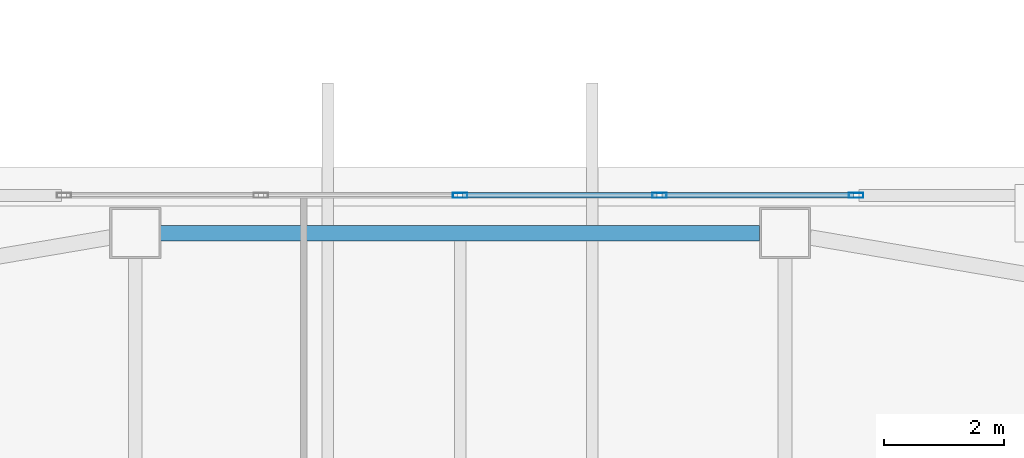
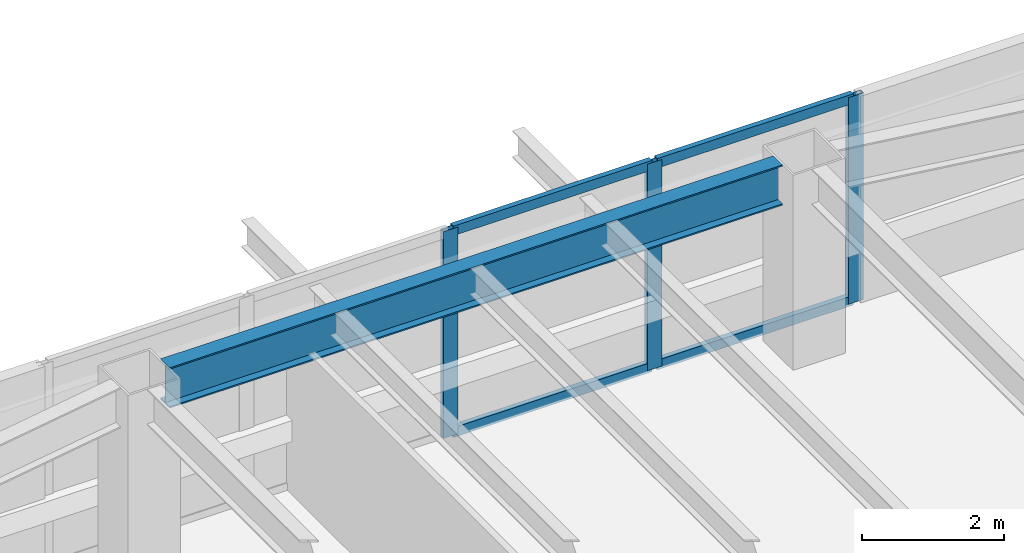
# One storey, part 24 of 75: 7 members, 1 beam, 1 element without a shape of its own.
"""IFC4 building model written with IfcOpenShell, lengths in metres."""

from ifc_helpers import new_model, si_unit, direction, frame, origin, origin_2d, place, context, subcontext, project, spatial, hollow_rectangle, i_section, extrude, material, material_profile, profile_set, type_object, element, aggregate, save


model = new_model("IFC4")

# Units and contexts
model_context = context("Model", 3, precision=1e-05, world=origin(), true_north=direction((0.0, 1.0)))
body_context = subcontext(model_context, "Body", "Model", "MODEL_VIEW")
ifc_project = project(units=[si_unit("LENGTHUNIT", "METRE"), si_unit("AREAUNIT", "SQUARE_METRE"), si_unit("VOLUMEUNIT", "CUBIC_METRE"), si_unit("PLANEANGLEUNIT", "RADIAN"), si_unit("MASSUNIT", "GRAM", prefix="KILO")], contexts=[model_context])

# Site, building, storey
site_placement = place(None, origin())
site = spatial("IfcSite", under=ifc_project, at=site_placement, CompositionType="ELEMENT")
building_placement = place(site_placement, origin())
building = spatial("IfcBuilding", under=site, at=building_placement, Name="Tashvorn Skyway Center", CompositionType="ELEMENT")
storey_placement = place(building_placement, frame((0.0, 0.0, 45.89990234375)))
storey = spatial("IfcBuildingStorey", under=building, at=storey_placement, Name="L11", CompositionType="ELEMENT", Elevation=45.89990234375)

# Beam
ifc_material_1 = material(Name="Steel ASTM A992 Grade 50", Category="steel")
ifc_material_profile_1 = material_profile(ifc_material_1, i_section(OverallWidth=0.256103515625, OverallDepth=0.693115234375, WebThickness=0.014404296875, FlangeThickness=0.023681640625, at=origin_2d()), Name="W27X114")
ifc_profile_set_1 = profile_set([ifc_material_profile_1], Name="Steel ASTM A992 Grade 50")
beam_type = type_object("IfcBeamType", Name="BM-SPANDREL-W27X114", PredefinedType="SPANDREL", material=ifc_profile_set_1)
beam_placement = place(storey_placement, frame((46.97998046875, 54.25, 3.003662109375), z_axis=(-1.0, 0.0, 0.0), x_axis=(0.0, -1.0, 0.0)))
element("IfcBeam", 1, at=beam_placement, inside=storey, type_object=beam_type, Name="Tower 1 L11 Spandrel Beam 08", PredefinedType="SPANDREL", context=body_context, shape_type="SweptSolid", body=[
    extrude(i_section(OverallWidth=0.256103515625, OverallDepth=0.693115234375, WebThickness=0.014404296875, FlangeThickness=0.023681640625, at=origin_2d()), origin(), (0.0, 0.0, 1.0), 9.9599609375),
])

# Curtain wall, members
ifc_material_2 = material(Name="Thermally broken bronze-anodized aluminium 6063-T6", Category="aluminium")
curtain_wall_type = type_object("IfcCurtainWallType", Name="CW-CW-Z1", PredefinedType="NOTDEFINED", material=ifc_material_2)
curtain_wall_placement = place(storey_placement, origin())
curtain_wall = element("IfcCurtainWall", 2, at=curtain_wall_placement, inside=storey, type_object=curtain_wall_type, Name="Tower 1 L11 North Unitised Curtain Wall Glazing Group 2", PredefinedType="NOTDEFINED")
ifc_material_profile_2 = material_profile(ifc_material_2, hollow_rectangle(XDim=0.0849609375, YDim=0.239990234375, WallThickness=0.0048828125, at=origin_2d()), Name="ALU-MULL-85x240")
ifc_profile_set_2 = profile_set([ifc_material_profile_2], Name="Thermally broken bronze-anodized aluminium 6063-T6")
member_type_1 = type_object("IfcMemberType", Name="CWM-CW-Z1", PredefinedType="MULLION", material=ifc_profile_set_2)
member_1_placement = place(storey_placement, frame((42.0, 54.8798828125, 0.0), z_axis=(0.0, 0.0, 1.0), x_axis=(0.0, 1.0, 0.0)))
member_1 = element("IfcMember", 3, at=member_1_placement, type_object=member_type_1, Name="CW-Z1 mullion 3", PredefinedType="MULLION", context=body_context, shape_type="SweptSolid", body=[
    extrude(hollow_rectangle(XDim=0.0849609375, YDim=0.239990234375, WallThickness=0.0048828125, at=origin_2d()), origin(), (0.0, 0.0, 1.0), 3.550048828125),
])
member_2_placement = place(storey_placement, frame((45.313232421875, 54.8798828125, 0.0), z_axis=(0.0, 0.0, 1.0), x_axis=(0.0, 1.0, 0.0)))
member_2 = element("IfcMember", 4, at=member_2_placement, type_object=member_type_1, Name="CW-Z1 mullion 4", PredefinedType="MULLION", context=body_context, shape_type="SweptSolid", body=[
    extrude(hollow_rectangle(XDim=0.0849609375, YDim=0.239990234375, WallThickness=0.0048828125, at=origin_2d()), origin(), (0.0, 0.0, 1.0), 3.550048828125),
])
member_3_placement = place(storey_placement, frame((48.584228515625, 54.8798828125, 0.0), z_axis=(0.0, 0.0, 1.0), x_axis=(0.0, 1.0, 0.0)))
member_3 = element("IfcMember", 5, at=member_3_placement, type_object=member_type_1, Name="CW-Z1 mullion 5", PredefinedType="MULLION", context=body_context, shape_type="SweptSolid", body=[
    extrude(hollow_rectangle(XDim=0.0849609375, YDim=0.239990234375, WallThickness=0.0048828125, at=origin_2d()), origin(), (0.0, 0.0, 1.0), 3.550048828125),
])
ifc_material_profile_3 = material_profile(ifc_material_2, hollow_rectangle(XDim=0.0849609375, YDim=0.1650390625, WallThickness=0.0048828125, at=origin_2d()), Name="ALU-TRAN-85x165")
ifc_profile_set_3 = profile_set([ifc_material_profile_3], Name="Thermally broken bronze-anodized aluminium 6063-T6")
member_type_2 = type_object("IfcMemberType", Name="CWT-CW-Z1", PredefinedType="USERDEFINED", material=ifc_profile_set_3)
member_4_placement = place(storey_placement, frame((42.04248046875, 54.8798828125, 0.04248046875), z_axis=(1.0, 0.0, 0.0), x_axis=(0.0, 1.0, 0.0)))
member_4 = element("IfcMember", 6, at=member_4_placement, type_object=member_type_2, Name="CW-Z1 transom 3.1", ObjectType="TRANSOM", PredefinedType="USERDEFINED", context=body_context, shape_type="SweptSolid", body=[
    extrude(hollow_rectangle(XDim=0.0849609375, YDim=0.1650390625, WallThickness=0.0048828125, at=origin_2d()), origin(), (0.0, 0.0, 1.0), 3.228271484375),
])
member_5_placement = place(storey_placement, frame((42.04248046875, 54.8798828125, 3.507568359375), z_axis=(1.0, 0.0, 0.0), x_axis=(0.0, 1.0, 0.0)))
member_5 = element("IfcMember", 7, at=member_5_placement, type_object=member_type_2, Name="CW-Z1 transom 3.2", ObjectType="TRANSOM", PredefinedType="USERDEFINED", context=body_context, shape_type="SweptSolid", body=[
    extrude(hollow_rectangle(XDim=0.0849609375, YDim=0.1650390625, WallThickness=0.0048828125, at=origin_2d()), origin(), (0.0, 0.0, 1.0), 3.228271484375),
])
member_6_placement = place(storey_placement, frame((45.35595703125, 54.8798828125, 0.04248046875), z_axis=(1.0, 0.0, 0.0), x_axis=(0.0, 1.0, 0.0)))
member_6 = element("IfcMember", 8, at=member_6_placement, type_object=member_type_2, Name="CW-Z1 transom 4.1", ObjectType="TRANSOM", PredefinedType="USERDEFINED", context=body_context, shape_type="SweptSolid", body=[
    extrude(hollow_rectangle(XDim=0.0849609375, YDim=0.1650390625, WallThickness=0.0048828125, at=origin_2d()), origin(), (0.0, 0.0, 1.0), 3.185791015625),
])
member_7_placement = place(storey_placement, frame((45.35595703125, 54.8798828125, 3.507568359375), z_axis=(1.0, 0.0, 0.0), x_axis=(0.0, 1.0, 0.0)))
member_7 = element("IfcMember", 9, at=member_7_placement, type_object=member_type_2, Name="CW-Z1 transom 4.2", ObjectType="TRANSOM", PredefinedType="USERDEFINED", context=body_context, shape_type="SweptSolid", body=[
    extrude(hollow_rectangle(XDim=0.0849609375, YDim=0.1650390625, WallThickness=0.0048828125, at=origin_2d()), origin(), (0.0, 0.0, 1.0), 3.185791015625),
])
aggregate(curtain_wall, [member_1, member_2, member_3, member_4, member_5, member_6, member_7])

save(model, "model.ifc")
